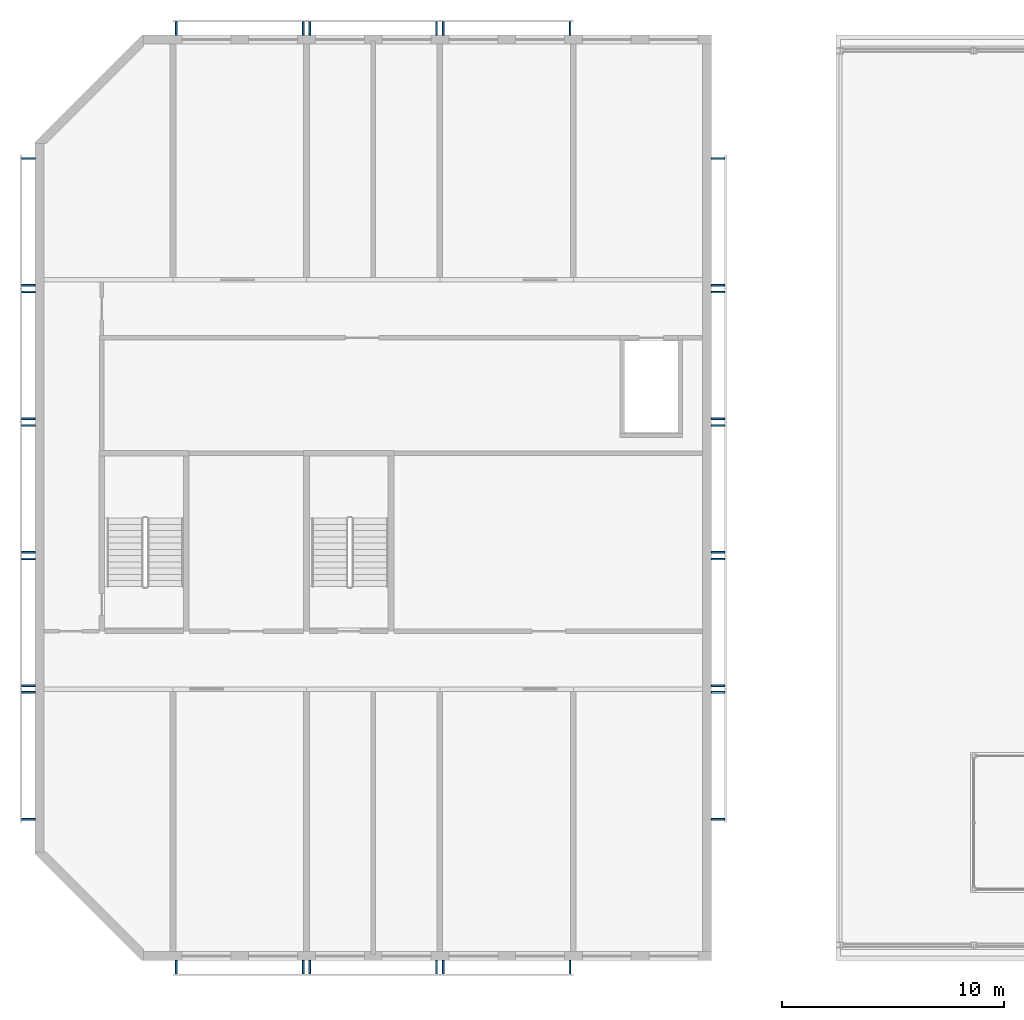
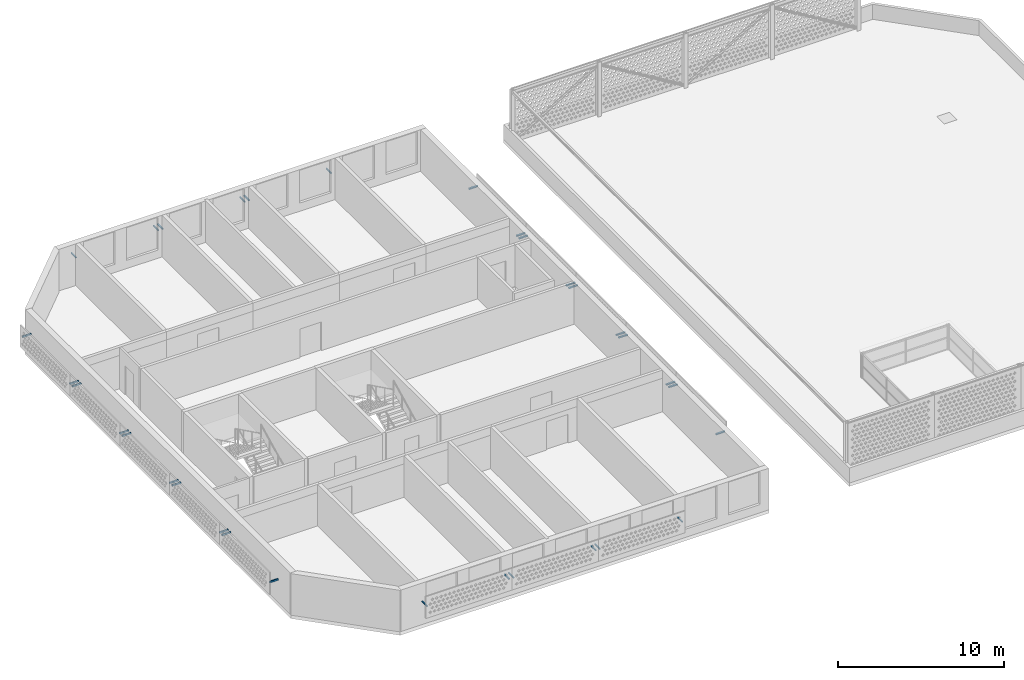
# One storey, part 10 of 18: 32 discrete accessories.
"""IFC4 building model written with IfcOpenShell, lengths in metres."""

from ifc_helpers import new_model, si_unit, direction, frame, origin, origin_2d, place, context, subcontext, project, spatial, rectangle, extrude, source, transform, mapped, material, material_profile, profile_set, type_object, element, save


model = new_model("IFC4")

# Units and contexts
model_context = context("Model", 3, precision=1e-05, world=origin(), true_north=direction((0.0, 1.0)))
body_context = subcontext(model_context, "Body", "Model", "MODEL_VIEW")
ifc_project = project(units=[si_unit("LENGTHUNIT", "METRE"), si_unit("AREAUNIT", "SQUARE_METRE"), si_unit("VOLUMEUNIT", "CUBIC_METRE"), si_unit("PLANEANGLEUNIT", "RADIAN"), si_unit("MASSUNIT", "GRAM", prefix="KILO")], contexts=[model_context])

# Site, building, storey
site_placement = place(None, origin())
site = spatial("IfcSite", under=ifc_project, at=site_placement, CompositionType="ELEMENT")
building_placement = place(site_placement, origin())
building = spatial("IfcBuilding", under=site, at=building_placement, Name="Poui Terraces", CompositionType="ELEMENT")
storey_placement = place(building_placement, frame((0.0, 0.0, 285.60009765625)))
storey = spatial("IfcBuildingStorey", under=building, at=storey_placement, Name="L79 CROWN", CompositionType="ELEMENT", Elevation=285.60009765625)

# Discrete accessories
ifc_material = material(Name="Galvanised steel", Category="steel")
ifc_material_profile = material_profile(ifc_material, rectangle(XDim=0.080078125, YDim=0.080078125, at=origin_2d()), Name="SCREEN BRACKET 80")
ifc_profile_set = profile_set([ifc_material_profile], Name="Galvanised steel")
discrete_accessory_type = type_object("IfcDiscreteAccessoryType", Name="SCREEN BRACKET 80", PredefinedType="BRACKET", material=ifc_profile_set)
shared_shape = source(origin(), body_context, "Body", "SweptSolid", [
    extrude(rectangle(XDim=0.080078125, YDim=0.080078125, at=origin_2d()), origin(), (0.0, 0.0, 1.0), 0.60009765625),
])
for number, where, z_axis, x_axis, name in (
    (1, (24.14990234375, -0.199951171875, 1.699951171875), (0.0, -1.0, 0.0), (1.0, 0.0, 0.0), "SCREEN BRACKET"),
    (2, (29.85009765625, -0.199951171875, 1.699951171875), (0.0, -1.0, 0.0), (1.0, 0.0, 0.0), "SCREEN BRACKET"),
    (3, (30.14990234375, -0.199951171875, 1.699951171875), (0.0, -1.0, 0.0), (1.0, 0.0, 0.0), "SCREEN BRACKET"),
    (4, (35.85009765625, -0.199951171875, 1.699951171875), (0.0, -1.0, 0.0), (1.0, 0.0, 0.0), "SCREEN BRACKET"),
    (5, (36.14990234375, -0.199951171875, 1.699951171875), (0.0, -1.0, 0.0), (1.0, 0.0, 0.0), "SCREEN BRACKET"),
    (6, (41.85009765625, -0.199951171875, 1.699951171875), (0.0, -1.0, 0.0), (1.0, 0.0, 0.0), "SCREEN BRACKET"),
    (7, (48.199951171875, 6.14990234375, 1.699951171875), (1.0, 0.0, 0.0), (0.0, 1.0, 0.0), "SCREEN BRACKET"),
    (8, (48.199951171875, 11.85009765625, 1.699951171875), (1.0, 0.0, 0.0), (0.0, 1.0, 0.0), "SCREEN BRACKET"),
    (9, (48.199951171875, 12.14990234375, 1.699951171875), (1.0, 0.0, 0.0), (0.0, 1.0, 0.0), "SCREEN BRACKET"),
    (10, (48.199951171875, 17.85009765625, 1.699951171875), (1.0, 0.0, 0.0), (0.0, 1.0, 0.0), "SCREEN BRACKET"),
    (11, (48.199951171875, 18.14990234375, 1.699951171875), (1.0, 0.0, 0.0), (0.0, 1.0, 0.0), "SCREEN BRACKET"),
    (12, (48.199951171875, 23.85009765625, 1.699951171875), (1.0, 0.0, 0.0), (0.0, 1.0, 0.0), "SCREEN BRACKET"),
    (13, (48.199951171875, 24.14990234375, 1.699951171875), (1.0, 0.0, 0.0), (0.0, 1.0, 0.0), "SCREEN BRACKET"),
    (14, (48.199951171875, 29.85009765625, 1.699951171875), (1.0, 0.0, 0.0), (0.0, 1.0, 0.0), "SCREEN BRACKET"),
    (15, (48.199951171875, 30.14990234375, 1.699951171875), (1.0, 0.0, 0.0), (0.0, 1.0, 0.0), "SCREEN BRACKET"),
    (16, (48.199951171875, 35.85009765625, 1.699951171875), (1.0, 0.0, 0.0), (0.0, 1.0, 0.0), "SCREEN BRACKET"),
    (17, (29.85009765625, 41.39990234375, 1.699951171875), (0.0, 1.0, 0.0), (-1.0, 0.0, 0.0), "SCREEN BRACKET"),
    (18, (24.14990234375, 41.39990234375, 1.699951171875), (0.0, 1.0, 0.0), (-1.0, 0.0, 0.0), "SCREEN BRACKET"),
    (19, (35.85009765625, 41.39990234375, 1.699951171875), (0.0, 1.0, 0.0), (-1.0, 0.0, 0.0), "SCREEN BRACKET"),
    (20, (30.14990234375, 41.39990234375, 1.699951171875), (0.0, 1.0, 0.0), (-1.0, 0.0, 0.0), "SCREEN BRACKET"),
    (21, (41.85009765625, 41.39990234375, 1.699951171875), (0.0, 1.0, 0.0), (-1.0, 0.0, 0.0), "SCREEN BRACKET"),
    (22, (36.14990234375, 41.39990234375, 1.699951171875), (0.0, 1.0, 0.0), (-1.0, 0.0, 0.0), "SCREEN BRACKET"),
    (23, (17.800048828125, 11.85009765625, 1.699951171875), (-1.0, 0.0, 0.0), (0.0, -1.0, 0.0), "SCREEN BRACKET"),
    (24, (17.800048828125, 6.14990234375, 1.699951171875), (-1.0, 0.0, 0.0), (0.0, -1.0, 0.0), "SCREEN BRACKET"),
    (25, (17.800048828125, 17.85009765625, 1.699951171875), (-1.0, 0.0, 0.0), (0.0, -1.0, 0.0), "SCREEN BRACKET"),
    (26, (17.800048828125, 12.14990234375, 1.699951171875), (-1.0, 0.0, 0.0), (0.0, -1.0, 0.0), "SCREEN BRACKET"),
    (27, (17.800048828125, 23.85009765625, 1.699951171875), (-1.0, 0.0, 0.0), (0.0, -1.0, 0.0), "SCREEN BRACKET"),
    (28, (17.800048828125, 18.14990234375, 1.699951171875), (-1.0, 0.0, 0.0), (0.0, -1.0, 0.0), "SCREEN BRACKET"),
    (29, (17.800048828125, 29.85009765625, 1.699951171875), (-1.0, 0.0, 0.0), (0.0, -1.0, 0.0), "SCREEN BRACKET"),
    (30, (17.800048828125, 24.14990234375, 1.699951171875), (-1.0, 0.0, 0.0), (0.0, -1.0, 0.0), "SCREEN BRACKET"),
    (31, (17.800048828125, 35.85009765625, 1.699951171875), (-1.0, 0.0, 0.0), (0.0, -1.0, 0.0), "SCREEN BRACKET"),
    (32, (17.800048828125, 30.14990234375, 1.699951171875), (-1.0, 0.0, 0.0), (0.0, -1.0, 0.0), "SCREEN BRACKET"),
):
    element("IfcDiscreteAccessory", number, at=place(storey_placement, frame(where, z_axis=z_axis, x_axis=x_axis)), inside=storey, type_object=discrete_accessory_type, Name=name, PredefinedType="BRACKET", context=body_context, shape_type="MappedRepresentation", body=[
        mapped(shared_shape, transform((0.0, 0.0, 0.0))),
    ])

save(model, "model.ifc")
